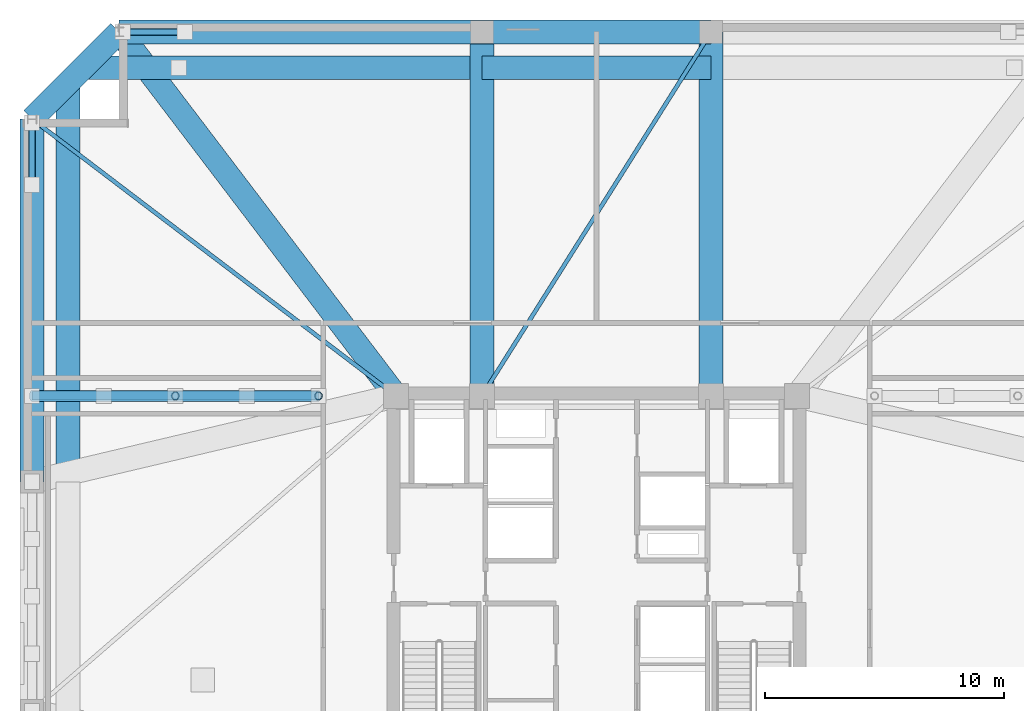
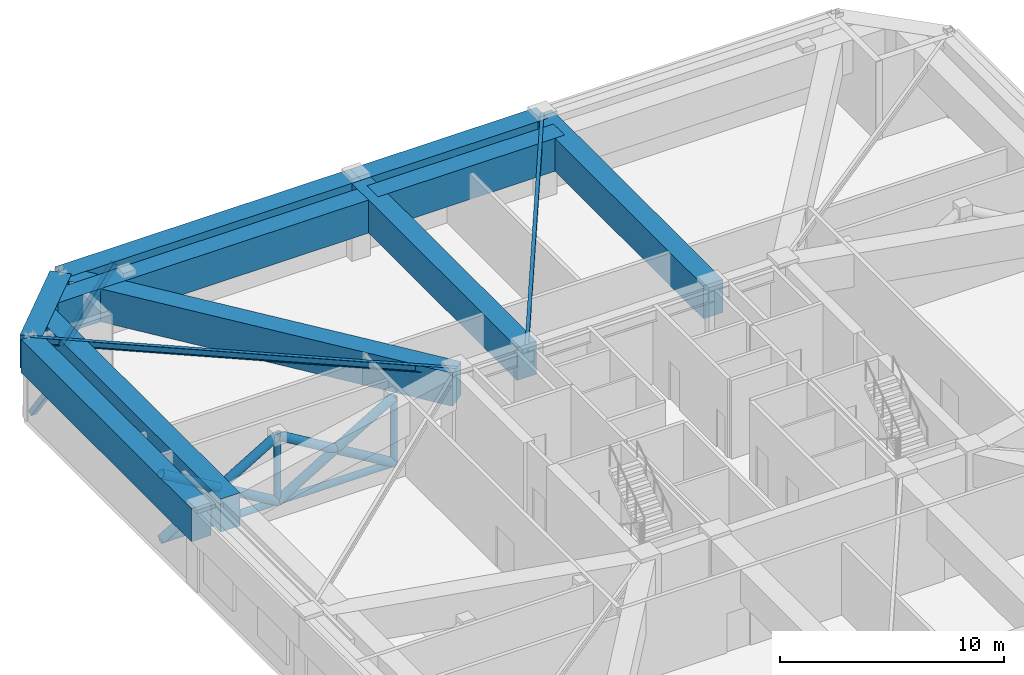
# One storey, part 5 of 13: 12 beams, 11 members.
"""IFC4 building model written with IfcOpenShell, lengths in metres."""

from ifc_helpers import new_model, si_unit, direction, frame, origin, origin_2d, place, context, subcontext, project, spatial, rectangle, hollow_rectangle, hollow_circle, i_section, extrude, material, material_profile, profile_set, type_object, element, save


model = new_model("IFC4")

# Units and contexts
model_context = context("Model", 3, precision=1e-05, world=origin(), true_north=direction((0.0, 1.0)))
body_context = subcontext(model_context, "Body", "Model", "MODEL_VIEW")
ifc_project = project(units=[si_unit("LENGTHUNIT", "METRE"), si_unit("AREAUNIT", "SQUARE_METRE"), si_unit("VOLUMEUNIT", "CUBIC_METRE"), si_unit("PLANEANGLEUNIT", "RADIAN"), si_unit("MASSUNIT", "GRAM", prefix="KILO")], contexts=[model_context])

# Site, building, storey
site_placement = place(None, origin())
site = spatial("IfcSite", under=ifc_project, at=site_placement, CompositionType="ELEMENT")
building_placement = place(site_placement, origin())
building = spatial("IfcBuilding", under=site, at=building_placement, Name="Cairnveth Concourse Tower", CompositionType="ELEMENT")
storey_placement = place(building_placement, frame((0.0, 0.0, 193.5)))
storey = spatial("IfcBuildingStorey", under=building, at=storey_placement, Name="L53", CompositionType="ELEMENT", Elevation=193.5)

# Member
ifc_material_1 = material(Name="Steel C350L0 (350 MPa)", Category="steel")
ifc_material_profile_1 = material_profile(ifc_material_1, hollow_circle(Radius=0.177734375, WallThickness=0.01611328125, at=origin_2d()), Name="355.6x16.0CHS")
ifc_profile_set_1 = profile_set([ifc_material_profile_1], Name="Steel C350L0 (350 MPa)")
member_type_1 = type_object("IfcMemberType", Name="BELT TRUSS CHORD 355.6X16CHS", PredefinedType="CHORD", material=ifc_profile_set_1)
member_1_placement = place(storey_placement, frame((28.35009765625, 47.39990234375, 0.25), z_axis=(1.0, 0.0, 0.0), x_axis=(0.0, 1.0, 0.0)))
element("IfcMember", 1, at=member_1_placement, inside=storey, type_object=member_type_1, Name="Structural Brace OUT-OW2A-CH L53", PredefinedType="CHORD", context=body_context, shape_type="SweptSolid", body=[
    extrude(hollow_circle(Radius=0.177734375, WallThickness=0.01611328125, at=origin_2d()), origin(), (0.0, 0.0, 1.0), 12.0),
])

# Beams
ifc_material_2 = material(Name="Concrete N65 (65 MPa)", Category="concrete")
ifc_material_profile_2 = material_profile(ifc_material_2, rectangle(XDim=1.0, YDim=1.800048828125, at=origin_2d()), Name="RC-TB-1000x1800")
ifc_profile_set_2 = profile_set([ifc_material_profile_2], Name="Concrete N65 (65 MPa)")
beam_type_1 = type_object("IfcBeamType", Name="CONCRETE TRANSFER GIRDER 1000X1800", PredefinedType="BEAM", material=ifc_profile_set_2)
beam_1_placement = place(storey_placement, frame((32.0, 62.64990234375, 3.389892578125), z_axis=(1.0, 0.0, 0.0), x_axis=(0.0, 1.0, 0.0)))
element("IfcBeam", 2, at=beam_1_placement, inside=storey, type_object=beam_type_1, Name="Beam SP-N1 L53", PredefinedType="BEAM", context=body_context, shape_type="SweptSolid", body=[
    extrude(rectangle(XDim=1.0, YDim=1.800048828125, at=origin_2d()), origin(), (0.0, 0.0, 1.0), 15.199951171875),
])
beam_2_placement = place(storey_placement, frame((47.199951171875, 62.64990234375, 3.389892578125), z_axis=(1.0, 0.0, 0.0), x_axis=(0.0, 1.0, 0.0)))
element("IfcBeam", 3, at=beam_2_placement, inside=storey, type_object=beam_type_1, Name="Beam SP-N2 L53", PredefinedType="BEAM", context=body_context, shape_type="SweptSolid", body=[
    extrude(rectangle(XDim=1.0, YDim=1.800048828125, at=origin_2d()), origin(), (0.0, 0.0, 1.0), 9.60009765625),
])
beam_3_placement = place(storey_placement, frame((28.35009765625, 43.800048828125, 3.389892578125), z_axis=(0.0, 1.0, 0.0), x_axis=(-1.0, 0.0, 0.0)))
element("IfcBeam", 4, at=beam_3_placement, inside=storey, type_object=beam_type_1, Name="Beam SP-W3 L53", PredefinedType="BEAM", context=body_context, shape_type="SweptSolid", body=[
    extrude(rectangle(XDim=1.0, YDim=1.800048828125, at=origin_2d()), origin(), (0.0, 0.0, 1.0), 15.199951171875),
])
beam_4_placement = place(storey_placement, frame((28.35009765625, 59.0, 3.389892578125), z_axis=(0.707106781187, 0.707106781187, 0.0), x_axis=(-0.707106781187, 0.707106781187, 0.0)))
element("IfcBeam", 5, at=beam_4_placement, inside=storey, type_object=beam_type_1, Name="Beam SP-NW L53", PredefinedType="BEAM", context=body_context, shape_type="SweptSolid", body=[
    extrude(rectangle(XDim=1.0, YDim=1.800048828125, at=origin_2d()), origin(), (0.0, 0.0, 1.0), 5.16162109375),
])
beam_5_placement = place(storey_placement, frame((32.0, 62.64990234375, 3.389892578125), z_axis=(0.6054172684, -0.795908242904, 0.0), x_axis=(0.795908242904, 0.6054172684, 0.0)))
element("IfcBeam", 6, at=beam_5_placement, inside=storey, type_object=beam_type_1, Name="Beam RG-CNW L53", PredefinedType="BEAM", context=body_context, shape_type="SweptSolid", body=[
    extrude(rectangle(XDim=1.0, YDim=1.800048828125, at=origin_2d()), origin(), (0.0, 0.0, 1.0), 19.160400390625),
])
for number, where, z_axis, x_axis, name in (
    (7, (47.199951171875, 47.39990234375, 3.389892578125), (0.0, 1.0, 0.0), (-1.0, 0.0, 0.0), "Beam RG-N1 L53"),
    (8, (56.800048828125, 47.39990234375, 3.389892578125), (0.0, 1.0, 0.0), (-1.0, 0.0, 0.0), "Beam RG-N2 L53"),
):
    element("IfcBeam", number, at=place(storey_placement, frame(where, z_axis=z_axis, x_axis=x_axis)), inside=storey, type_object=beam_type_1, Name=name, PredefinedType="BEAM", context=body_context, shape_type="SweptSolid", body=[
        extrude(rectangle(XDim=1.0, YDim=1.800048828125, at=origin_2d()), origin(), (0.0, 0.0, 1.0), 15.25),
    ])
beam_6_placement = place(storey_placement, frame((30.5, 61.14990234375, 3.389892578125), z_axis=(1.0, 0.0, 0.0), x_axis=(0.0, 1.0, 0.0)))
element("IfcBeam", 9, at=beam_6_placement, inside=storey, type_object=beam_type_1, Name="Beam STG-N1 L53", PredefinedType="BEAM", context=body_context, shape_type="SweptSolid", body=[
    extrude(rectangle(XDim=1.0, YDim=1.800048828125, at=origin_2d()), origin(), (0.0, 0.0, 1.0), 16.699951171875),
])
beam_7_placement = place(storey_placement, frame((47.199951171875, 61.14990234375, 3.389892578125), z_axis=(1.0, 0.0, 0.0), x_axis=(0.0, 1.0, 0.0)))
element("IfcBeam", 10, at=beam_7_placement, inside=storey, type_object=beam_type_1, Name="Beam STG-N2 L53", PredefinedType="BEAM", context=body_context, shape_type="SweptSolid", body=[
    extrude(rectangle(XDim=1.0, YDim=1.800048828125, at=origin_2d()), origin(), (0.0, 0.0, 1.0), 9.60009765625),
])
beam_8_placement = place(storey_placement, frame((29.85009765625, 43.800048828125, 3.389892578125), z_axis=(0.0, 1.0, 0.0), x_axis=(-1.0, 0.0, 0.0)))
element("IfcBeam", 11, at=beam_8_placement, inside=storey, type_object=beam_type_1, Name="Beam STG-W3 L53", PredefinedType="BEAM", context=body_context, shape_type="SweptSolid", body=[
    extrude(rectangle(XDim=1.0, YDim=1.800048828125, at=origin_2d()), origin(), (0.0, 0.0, 1.0), 16.699951171875),
])

# Members
ifc_material_profile_3 = material_profile(ifc_material_1, hollow_circle(Radius=0.228515625, WallThickness=0.01611328125, at=origin_2d()), Name="457.0x16.0CHS")
ifc_profile_set_3 = profile_set([ifc_material_profile_3], Name="Steel C350L0 (350 MPa)")
member_type_2 = type_object("IfcMemberType", Name="OUTRIGGER DIAGONAL 457X16CHS", PredefinedType="BRACE", material=ifc_profile_set_3)
member_2_placement = place(storey_placement, frame((28.35009765625, 47.39990234375, 0.25), z_axis=(0.858117715439, 0.0, 0.513453003155), x_axis=(0.0, 1.0, 0.0)))
element("IfcMember", 12, at=member_2_placement, inside=storey, type_object=member_type_2, Name="Structural Brace OUT-OW2A-P1A L53", PredefinedType="BRACE", context=body_context, shape_type="SweptSolid", body=[
    extrude(hollow_circle(Radius=0.228515625, WallThickness=0.01611328125, at=origin_2d()), origin(), (0.0, 0.0, 1.0), 6.991943359375),
])
member_3_placement = place(storey_placement, frame((28.35009765625, 47.39990234375, 3.840087890625), z_axis=(0.858111150446, 0.0, -0.51346397486), x_axis=(0.0, 1.0, 0.0)))
element("IfcMember", 13, at=member_3_placement, inside=storey, type_object=member_type_2, Name="Structural Brace OUT-OW2A-P1B1 L53", PredefinedType="BRACE", context=body_context, shape_type="SweptSolid", body=[
    extrude(hollow_circle(Radius=0.228515625, WallThickness=0.01611328125, at=origin_2d()), origin(), (0.0, 0.0, 1.0), 3.48095703125),
])
member_4_placement = place(storey_placement, frame((31.36279296875, 47.39990234375, 2.037353515625), z_axis=(0.85812963974, 0.0, -0.513433073924), x_axis=(0.0, 1.0, 0.0)))
element("IfcMember", 14, at=member_4_placement, inside=storey, type_object=member_type_2, Name="Structural Brace OUT-OW2A-P1B2 L53", PredefinedType="BRACE", context=body_context, shape_type="SweptSolid", body=[
    extrude(hollow_circle(Radius=0.228515625, WallThickness=0.01611328125, at=origin_2d()), origin(), (0.0, 0.0, 1.0), 3.481201171875),
])
member_5_placement = place(storey_placement, frame((34.35009765625, 47.39990234375, 0.25), z_axis=(0.858117715439, 0.0, 0.513453003155), x_axis=(0.0, 1.0, 0.0)))
element("IfcMember", 15, at=member_5_placement, inside=storey, type_object=member_type_2, Name="Structural Brace OUT-OW2A-P2A L53", PredefinedType="BRACE", context=body_context, shape_type="SweptSolid", body=[
    extrude(hollow_circle(Radius=0.228515625, WallThickness=0.01611328125, at=origin_2d()), origin(), (0.0, 0.0, 1.0), 6.991943359375),
])
member_6_placement = place(storey_placement, frame((34.35009765625, 47.39990234375, 3.840087890625), z_axis=(0.858111150446, 0.0, -0.51346397486), x_axis=(0.0, 1.0, 0.0)))
element("IfcMember", 16, at=member_6_placement, inside=storey, type_object=member_type_2, Name="Structural Brace OUT-OW2A-P2B1 L53", PredefinedType="BRACE", context=body_context, shape_type="SweptSolid", body=[
    extrude(hollow_circle(Radius=0.228515625, WallThickness=0.01611328125, at=origin_2d()), origin(), (0.0, 0.0, 1.0), 3.48095703125),
])
member_7_placement = place(storey_placement, frame((37.36279296875, 47.39990234375, 2.037353515625), z_axis=(0.85812963974, 0.0, -0.513433073924), x_axis=(0.0, 1.0, 0.0)))
element("IfcMember", 17, at=member_7_placement, inside=storey, type_object=member_type_2, Name="Structural Brace OUT-OW2A-P2B2 L53", PredefinedType="BRACE", context=body_context, shape_type="SweptSolid", body=[
    extrude(hollow_circle(Radius=0.228515625, WallThickness=0.01611328125, at=origin_2d()), origin(), (0.0, 0.0, 1.0), 3.481201171875),
])
ifc_material_profile_4 = material_profile(ifc_material_1, hollow_circle(Radius=0.161865234375, WallThickness=0.0126953125, at=origin_2d()), Name="323.9x12.7CHS")
ifc_profile_set_4 = profile_set([ifc_material_profile_4], Name="Steel C350L0 (350 MPa)")
member_type_3 = type_object("IfcMemberType", Name="OUTRIGGER KING STRUT 323.9X12.7CHS", PredefinedType="STRUT", material=ifc_profile_set_4)
for number, where, z_axis, x_axis, name in (
    (18, (34.35009765625, 47.39990234375, 0.25), (0.0, 0.0, 1.0), (1.0, 0.0, 0.0), "Structural Brace OUT-OW2A-SR L53"),
    (19, (40.35009765625, 47.39990234375, 0.25), (0.0, 0.0, 1.0), (1.0, 0.0, 0.0), "Structural Brace OUT-OW2A-SRE L53"),
):
    element("IfcMember", number, at=place(storey_placement, frame(where, z_axis=z_axis, x_axis=x_axis)), inside=storey, type_object=member_type_3, Name=name, PredefinedType="STRUT", context=body_context, shape_type="SweptSolid", body=[
        extrude(hollow_circle(Radius=0.161865234375, WallThickness=0.0126953125, at=origin_2d()), origin(), (0.0, 0.0, 1.0), 3.590087890625),
    ])

# Beams
ifc_material_3 = material(Name="Steel Grade 350", Category="steel")
ifc_material_profile_5 = material_profile(ifc_material_3, i_section(OverallWidth=0.172119140625, OverallDepth=0.35888671875, WebThickness=0.008056640625, FlangeThickness=0.012939453125, FilletRadius=0.010986328125, at=origin_2d()), Name="360UB56.7")
ifc_profile_set_5 = profile_set([ifc_material_profile_5], Name="Steel Grade 350")
beam_type_2 = type_object("IfcBeamType", Name="ZONE 2 FLOOR JOIST 360UB56.7", PredefinedType="JOIST", material=ifc_profile_set_5)
beam_9_placement = place(storey_placement, frame((28.35009765625, 59.0, 4.110595703125), z_axis=(0.795908242904, -0.6054172684, 0.0), x_axis=(0.6054172684, 0.795908242904, 0.0)))
element("IfcBeam", 20, at=beam_9_placement, inside=storey, type_object=beam_type_2, Name="Beam FJ-CNW2 L53", PredefinedType="JOIST", context=body_context, shape_type="SweptSolid", body=[
    extrude(i_section(OverallWidth=0.172119140625, OverallDepth=0.35888671875, WebThickness=0.008056640625, FlangeThickness=0.012939453125, FilletRadius=0.010986328125, at=origin_2d()), origin(), (0.0, 0.0, 1.0), 19.160400390625),
])
beam_10_placement = place(storey_placement, frame((47.199951171875, 47.39990234375, 4.110595703125), z_axis=(0.532743557037, 0.84627672923, 0.0), x_axis=(-0.84627672923, 0.532743557037, 0.0)))
element("IfcBeam", 21, at=beam_10_placement, inside=storey, type_object=beam_type_2, Name="Beam FJ-N-M1 L53", PredefinedType="JOIST", context=body_context, shape_type="SweptSolid", body=[
    extrude(i_section(OverallWidth=0.172119140625, OverallDepth=0.35888671875, WebThickness=0.008056640625, FlangeThickness=0.012939453125, FilletRadius=0.010986328125, at=origin_2d()), origin(), (0.0, 0.0, 1.0), 18.02001953125),
])

# Members
ifc_material_profile_6 = material_profile(ifc_material_1, hollow_rectangle(XDim=0.300048828125, YDim=0.300048828125, WallThickness=0.01611328125, InnerFilletRadius=0.01611328125, OuterFilletRadius=0.031982421875, at=origin_2d()), Name="300x300x16.0SHS")
ifc_profile_set_6 = profile_set([ifc_material_profile_6], Name="Steel C350L0 (350 MPa)")
member_type_4 = type_object("IfcMemberType", Name="ZONE 2 PIER BRACE 300X300X16SHS", PredefinedType="BRACE", material=ifc_profile_set_6)
for number, where, z_axis, x_axis, name in (
    (22, (32.14990234375, 62.64990234375, 0.25), (0.586565875469, 0.0, 0.809901521011), (0.0, 1.0, 0.0), "Structural Brace PB-N1 L53"),
    (23, (28.35009765625, 58.85009765625, 0.25), (0.0, -0.586565875469, 0.809901521011), (1.0, 0.0, 0.0), "Structural Brace PB-W2 L53"),
):
    element("IfcMember", number, at=place(storey_placement, frame(where, z_axis=z_axis, x_axis=x_axis)), inside=storey, type_object=member_type_4, Name=name, PredefinedType="BRACE", context=body_context, shape_type="SweptSolid", body=[
        extrude(hollow_rectangle(XDim=0.300048828125, YDim=0.300048828125, WallThickness=0.01611328125, InnerFilletRadius=0.01611328125, OuterFilletRadius=0.031982421875, at=origin_2d()), origin(), (0.0, 0.0, 1.0), 4.432861328125),
    ])

save(model, "model.ifc")
